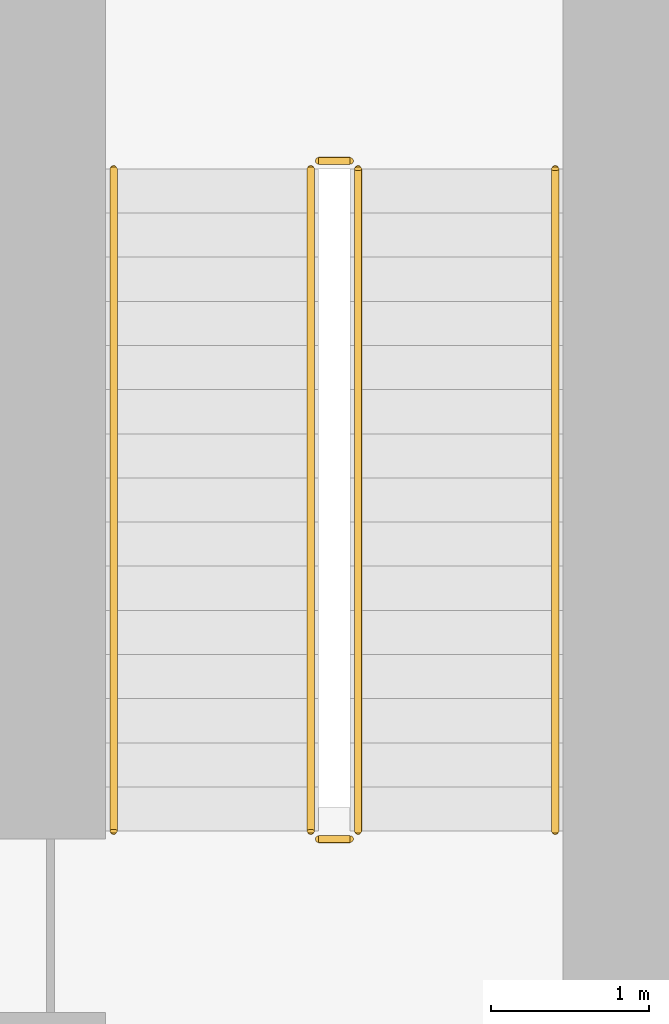
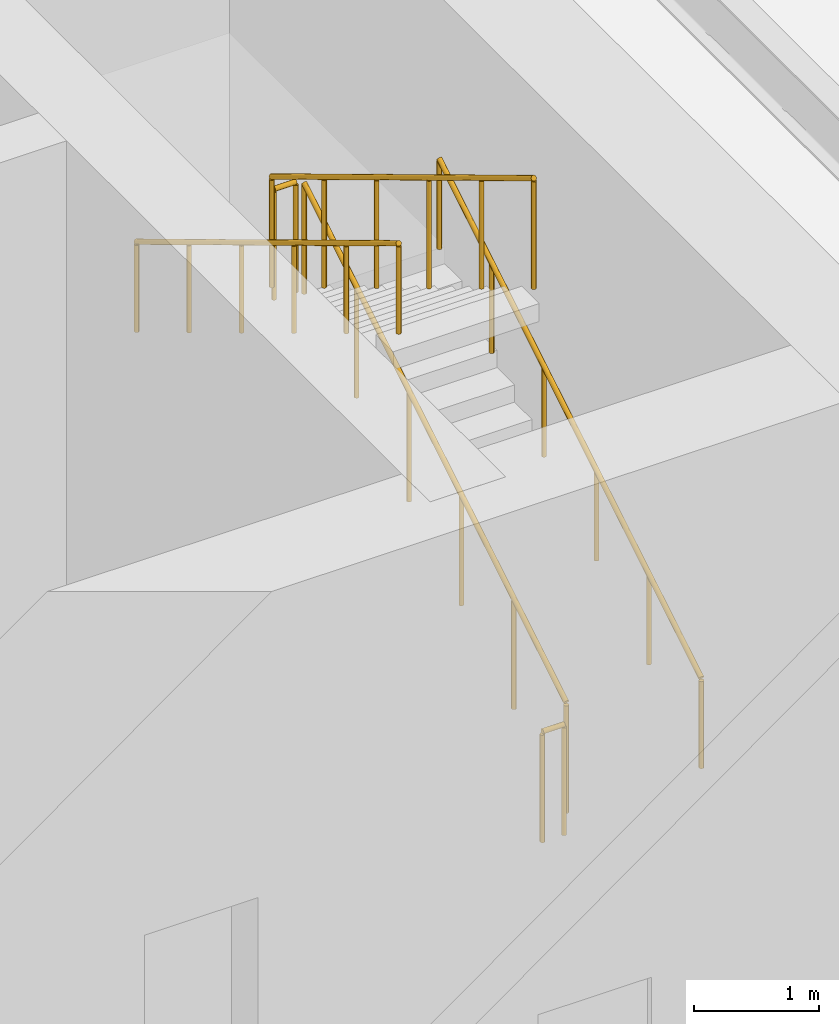
# One storey, part 10 of 11: 6 railings.
"""IFC4 building model written with IfcOpenShell, lengths in metres."""

import ifcopenshell
import ifcopenshell.guid

model = None  # the IFC model being written
_history = None  # IfcOwnerHistory: only IFC2X3 demands one
_inside = {}  # id of a spatial element -> (the spatial element, [elements in it])
_under = {}  # id of a project, library or spatial element -> (it, [spatial elements below it])
_declared = {}  # id of a project -> (the project, [libraries it declares])
_typed = {}  # id of a type object -> (the type object, [elements of that type])
_made_of = {}  # id of a material, layer set ... -> (it, [elements and type objects made of it])


def new_model(schema):
    """Start an empty IFC model of exactly this schema.

    Asked for "IFC4X3", IfcOpenShell would pick the latest addendum, in which some entities
    have other attributes; the version numbers below select the first issue.
    IFC2X3 requires an IfcOwnerHistory on every rooted entity: one is made here for all.
    """
    global model, _history
    if schema == "IFC4X3":
        model = ifcopenshell.file(schema_version=(4, 3, 0, 0))
    else:
        model = ifcopenshell.file(schema=schema)
    _inside.clear()
    _under.clear()
    _declared.clear()
    _typed.clear()
    _made_of.clear()
    _history = None
    if model.schema == "IFC2X3":
        org = make("IfcOrganization", Name="unknown")
        user = make(
            "IfcPersonAndOrganization",
            ThePerson=make("IfcPerson", FamilyName="unknown"),
            TheOrganization=org,
        )
        app = make(
            "IfcApplication",
            ApplicationDeveloper=org,
            Version="unknown",
            ApplicationFullName="unknown",
            ApplicationIdentifier="unknown",
        )
        _history = make(
            "IfcOwnerHistory",
            OwningUser=user,
            OwningApplication=app,
            ChangeAction="ADDED",
            CreationDate=0,
        )
    return model


def make(cls, **values):
    """One entity of the class cls with the attributes given. An attribute that is None is left unset."""
    return model.create_entity(
        cls, **{name: value for name, value in values.items() if value is not None}
    )


def rooted(cls, **values):
    """An entity with a GlobalId (a new one), such as an element, a storey or a relation."""
    return make(cls, GlobalId=ifcopenshell.guid.new(), OwnerHistory=_history, **values)


def si_unit(unit_type, name, prefix=None):
    """IfcSIUnit, for example si_unit("LENGTHUNIT", "METRE", prefix="MILLI")."""
    return make("IfcSIUnit", UnitType=unit_type, Prefix=prefix, Name=name)


def assignment(units):
    """IfcUnitAssignment: the units of a project."""
    return None if units is None else make("IfcUnitAssignment", Units=units)


def point(xyz):
    """IfcCartesianPoint."""
    return None if xyz is None else make("IfcCartesianPoint", Coordinates=xyz)


def direction(xyz):
    """IfcDirection."""
    return None if xyz is None else make("IfcDirection", DirectionRatios=xyz)


def frame(location, z_axis=None, x_axis=None):
    """IfcAxis2Placement3D, a coordinate frame: its origin and axes. An axis left out is left unset."""
    return make(
        "IfcAxis2Placement3D",
        Location=point(location),
        Axis=direction(z_axis),
        RefDirection=direction(x_axis),
    )


def frame_2d(location, x_axis=None):
    """IfcAxis2Placement2D, a coordinate frame in the plane: its origin and x axis."""
    return make(
        "IfcAxis2Placement2D", Location=point(location), RefDirection=direction(x_axis)
    )


def origin():
    """The frame at (0, 0, 0) with its axes left unset."""
    return frame((0.0, 0.0, 0.0))


def origin_2d():
    """The frame at (0, 0) in the plane with its x axis left unset."""
    return frame_2d((0.0, 0.0))


def place(relative_to, where):
    """IfcLocalPlacement: puts the frame where relative to a parent placement (None: the world)."""
    return make(
        "IfcLocalPlacement", PlacementRelTo=relative_to, RelativePlacement=where
    )


def context(
    kind, dimensions, precision=None, world=None, true_north=None, identifier=None
):
    """IfcGeometricRepresentationContext, for example the 3D "Model" context."""
    return make(
        "IfcGeometricRepresentationContext",
        ContextIdentifier=identifier,
        ContextType=kind,
        CoordinateSpaceDimension=dimensions,
        Precision=precision,
        WorldCoordinateSystem=world,
        TrueNorth=true_north,
    )


def subcontext(parent, identifier, kind, view, scale=None):
    """IfcGeometricRepresentationSubContext, for example "Body" below "Model"."""
    return make(
        "IfcGeometricRepresentationSubContext",
        ContextIdentifier=identifier,
        ContextType=kind,
        ParentContext=parent,
        TargetScale=scale,
        TargetView=view,
    )


def project(units=None, contexts=None):
    """IfcProject with its units and contexts."""
    return rooted(
        "IfcProject",
        Name="project",
        RepresentationContexts=contexts,
        UnitsInContext=assignment(units),
    )


def spatial(cls, under=None, at=None, **own):
    """A site, building, storey or space (cls), placed at a placement, below another one or the project."""
    s = rooted(cls, ObjectPlacement=at, **own)
    if under is not None:
        _under.setdefault(under.id(), (under, []))[1].append(s)
    return s


def profile(cls, at=None, kind="AREA", **sizes):
    """A parametric profile (cls). Its sizes go by their IFC names, for example OverallWidth=200.0."""
    return make(cls, ProfileType=kind, Position=at, **sizes)


def circle(**sizes):
    """IfcCircleProfileDef."""
    return profile("IfcCircleProfileDef", **sizes)


def extrude(swept, where, along, depth):
    """IfcExtrudedAreaSolid: the profile swept, set in the frame where, extruded along a direction by depth."""
    return make(
        "IfcExtrudedAreaSolid",
        SweptArea=swept,
        Position=where,
        ExtrudedDirection=direction(along),
        Depth=depth,
    )


def shape(context_of_items, identifier, shape_type, items):
    """IfcShapeRepresentation: the items that make up one representation, for example the "Body"."""
    return make(
        "IfcShapeRepresentation",
        ContextOfItems=context_of_items,
        RepresentationIdentifier=identifier,
        RepresentationType=shape_type,
        Items=items,
    )


def material(Name=None, Category=None):
    """IfcMaterial."""
    return make("IfcMaterial", Name=Name, Category=Category)


def made_of(thing, what):
    """Note that an element or type object is made of a material, layer set ...; save() writes the relation."""
    if what is not None:
        _made_of.setdefault(what.id(), (what, []))[1].append(thing)
    return thing


def type_object(cls, material=None, **own):
    """A type object (cls), such as IfcWallType, which elements share."""
    return made_of(rooted(cls, **own), material)


def element(
    cls,
    number,
    at=None,
    inside=None,
    cuts=None,
    type_object=None,
    material=None,
    context=None,
    identifier="Body",
    shape_type=None,
    held_by="IfcProductDefinitionShape",
    body=None,
    shapes=None,
    **own,
):
    """One element of the class cls, such as IfcWall. Its Tag is "e" and its number.

    at: its placement. inside: the storey or other place that contains it. cuts: it is an
    opening in that element (IfcRelVoidsElement). A single representation is given by context,
    identifier, shape_type and body (its items); several are given by shapes. held_by: the class
    of the entity that holds the representations. save() writes the other relations.
    """
    e = rooted(cls, Tag="e%d" % number, ObjectPlacement=at, **own)
    if body is not None:
        shapes = [shape(context, identifier, shape_type, body)]
    if shapes is not None:
        e.Representation = make(held_by, Representations=shapes)
    if inside is not None:
        _inside.setdefault(inside.id(), (inside, []))[1].append(e)
    if cuts is not None:
        rooted(
            "IfcRelVoidsElement", RelatingBuildingElement=cuts, RelatedOpeningElement=e
        )
    if type_object is not None:
        _typed.setdefault(type_object.id(), (type_object, []))[1].append(e)
    return made_of(e, material)


def aggregate(whole, parts):
    """IfcRelAggregates: a whole, such as a stair, and the parts it consists of."""
    return rooted("IfcRelAggregates", RelatingObject=whole, RelatedObjects=parts)


def save(model, path):
    """Write the relations noted so far, then the file.

    IfcRelAggregates (storeys below a building ...), IfcRelContainedInSpatialStructure (elements
    in a storey), IfcRelDefinesByType, IfcRelAssociatesMaterial and IfcRelDeclares: one each for
    every whole, place, type object, material and project.
    """
    for whole, parts in _under.values():
        aggregate(whole, parts)
    for where, things in _inside.values():
        rooted(
            "IfcRelContainedInSpatialStructure",
            RelatedElements=things,
            RelatingStructure=where,
        )
    for kind, things in _typed.values():
        rooted("IfcRelDefinesByType", RelatedObjects=things, RelatingType=kind)
    for what, things in _made_of.values():
        rooted("IfcRelAssociatesMaterial", RelatedObjects=things, RelatingMaterial=what)
    for by, libraries in _declared.values():
        rooted("IfcRelDeclares", RelatingContext=by, RelatedDefinitions=libraries)
    model.write(path)


model = new_model("IFC4")

# Units and contexts
model_context = context("Model", 3, precision=1e-05, world=origin(), true_north=direction((0.0, 1.0)))
body_context = subcontext(model_context, "Body", "Model", "MODEL_VIEW")
ifc_project = project(units=[si_unit("LENGTHUNIT", "METRE"), si_unit("AREAUNIT", "SQUARE_METRE"), si_unit("VOLUMEUNIT", "CUBIC_METRE"), si_unit("PLANEANGLEUNIT", "RADIAN"), si_unit("MASSUNIT", "GRAM", prefix="KILO")], contexts=[model_context])

# Site, building, storey
site_placement = place(None, origin())
site = spatial("IfcSite", under=ifc_project, at=site_placement, CompositionType="ELEMENT")
building_placement = place(site_placement, origin())
building = spatial("IfcBuilding", under=site, at=building_placement, Name="Caelmar Bay Residences", CompositionType="ELEMENT")
storey_placement = place(building_placement, origin())
storey = spatial("IfcBuildingStorey", under=building, at=storey_placement, Name="L00", CompositionType="ELEMENT", Elevation=0.0)

# Railings
ifc_material_1 = material(Name="Painted galvanized steel stair guard 1100 mm", Category="steel")
railing_type_1 = type_object("IfcRailingType", Name="RL-GRD-1100", PredefinedType="GUARDRAIL", material=ifc_material_1)
railing_1_placement = place(storey_placement, frame((57.85009765625, 38.699951171875, 0.168701171875)))
element("IfcRailing", 1, at=railing_1_placement, inside=storey, type_object=railing_type_1, Name="L00 ST2 stair guard 1", PredefinedType="GUARDRAIL", context=body_context, shape_type="SweptSolid", body=[
    extrude(circle(Radius=0.02392578125, at=origin_2d()), frame((0.0, 0.0, 1.076171875), z_axis=(0.0, 0.856476492594, 0.516186030065), x_axis=(-1.0, 0.0, 0.0)), (0.0, 0.0, 1.0), 4.90380859375),
    extrude(circle(Radius=0.02099609375, at=origin_2d()), origin(), (0.0, 0.0, 1.0), 1.052001953125),
    extrude(circle(Radius=0.02099609375, at=origin_2d()), frame((0.0, 0.840087890625, 0.50634765625)), (0.0, 0.0, 1.0), 1.052001953125),
    extrude(circle(Radius=0.02099609375, at=origin_2d()), frame((0.0, 1.679931640625, 1.012451171875)), (0.0, 0.0, 1.0), 1.052001953125),
    extrude(circle(Radius=0.02099609375, at=origin_2d()), frame((0.0, 2.52001953125, 1.518798828125)), (0.0, 0.0, 1.0), 1.052001953125),
    extrude(circle(Radius=0.02099609375, at=origin_2d()), frame((0.0, 3.35986328125, 2.02490234375)), (0.0, 0.0, 1.0), 1.052001953125),
    extrude(circle(Radius=0.02099609375, at=origin_2d()), frame((0.0, 4.199951171875, 2.53125)), (0.0, 0.0, 1.0), 1.052001953125),
])
railing_2_placement = place(storey_placement, frame((57.800048828125, 42.949951171875, 2.699951171875)))
element("IfcRailing", 2, at=railing_2_placement, inside=storey, type_object=railing_type_1, Name="L00 ST2 stair guard 2", PredefinedType="GUARDRAIL", context=body_context, shape_type="SweptSolid", body=[
    extrude(circle(Radius=0.02392578125, at=origin_2d()), frame((0.0, 0.0, 1.076171875), z_axis=(-1.0, 0.0, 0.0), x_axis=(0.0, -1.0, 0.0)), (0.0, 0.0, 1.0), 0.199951171875),
    extrude(circle(Radius=0.02099609375, at=origin_2d()), origin(), (0.0, 0.0, 1.0), 1.052001953125),
    extrude(circle(Radius=0.02099609375, at=origin_2d()), frame((-0.199951171875, 0.0, 0.0)), (0.0, 0.0, 1.0), 1.052001953125),
])
railing_3_placement = place(storey_placement, frame((57.550048828125, 42.89990234375, 2.86865234375)))
element("IfcRailing", 3, at=railing_3_placement, inside=storey, type_object=railing_type_1, Name="L00 ST2 stair guard 3", PredefinedType="GUARDRAIL", context=body_context, shape_type="SweptSolid", body=[
    extrude(circle(Radius=0.02392578125, at=origin_2d()), frame((0.0, 0.0, 1.076171875), z_axis=(0.0, -0.856476492594, 0.516186030065), x_axis=(1.0, 0.0, 0.0)), (0.0, 0.0, 1.0), 4.90380859375),
    extrude(circle(Radius=0.02099609375, at=origin_2d()), origin(), (0.0, 0.0, 1.0), 1.052001953125),
    extrude(circle(Radius=0.02099609375, at=origin_2d()), frame((0.0, -0.840087890625, 0.50634765625)), (0.0, 0.0, 1.0), 1.052001953125),
    extrude(circle(Radius=0.02099609375, at=origin_2d()), frame((0.0, -1.679931640625, 1.012451171875)), (0.0, 0.0, 1.0), 1.052001953125),
    extrude(circle(Radius=0.02099609375, at=origin_2d()), frame((0.0, -2.52001953125, 1.518798828125)), (0.0, 0.0, 1.0), 1.052001953125),
    extrude(circle(Radius=0.02099609375, at=origin_2d()), frame((0.0, -3.35986328125, 2.02490234375)), (0.0, 0.0, 1.0), 1.052001953125),
    extrude(circle(Radius=0.02099609375, at=origin_2d()), frame((0.0, -4.199951171875, 2.53125)), (0.0, 0.0, 1.0), 1.052001953125),
])
railing_4_placement = place(storey_placement, frame((57.800048828125, 38.64990234375, 0.0)))
element("IfcRailing", 4, at=railing_4_placement, inside=storey, type_object=railing_type_1, Name="L00 ST2 stair guard 4", PredefinedType="GUARDRAIL", context=body_context, shape_type="SweptSolid", body=[
    extrude(circle(Radius=0.02392578125, at=origin_2d()), frame((0.0, 0.0, 1.076171875), z_axis=(-1.0, 0.0, 0.0), x_axis=(0.0, -1.0, 0.0)), (0.0, 0.0, 1.0), 0.199951171875),
    extrude(circle(Radius=0.02099609375, at=origin_2d()), origin(), (0.0, 0.0, 1.0), 1.052001953125),
    extrude(circle(Radius=0.02099609375, at=origin_2d()), frame((-0.199951171875, 0.0, 0.0)), (0.0, 0.0, 1.0), 1.052001953125),
])
ifc_material_2 = material(Name="Brushed bronze stainless-steel tubular handrail 900 mm", Category="steel")
railing_type_2 = type_object("IfcRailingType", Name="RL-HND-900", PredefinedType="HANDRAIL", material=ifc_material_2)
railing_5_placement = place(storey_placement, frame((59.10009765625, 38.699951171875, 0.168701171875)))
element("IfcRailing", 5, at=railing_5_placement, inside=storey, type_object=railing_type_2, Name="L00 ST2 stair handrail 1", PredefinedType="HANDRAIL", context=body_context, shape_type="SweptSolid", body=[
    extrude(circle(Radius=0.02392578125, at=origin_2d()), frame((0.0, 0.0, 0.8759765625), z_axis=(0.0, 0.856476492594, 0.516186030065), x_axis=(-1.0, 0.0, 0.0)), (0.0, 0.0, 1.0), 4.90380859375),
    extrude(circle(Radius=0.02099609375, at=origin_2d()), origin(), (0.0, 0.0, 1.0), 0.851806640625),
    extrude(circle(Radius=0.02099609375, at=origin_2d()), frame((0.0, 0.840087890625, 0.50634765625)), (0.0, 0.0, 1.0), 0.851806640625),
    extrude(circle(Radius=0.02099609375, at=origin_2d()), frame((0.0, 1.679931640625, 1.012451171875)), (0.0, 0.0, 1.0), 0.851806640625),
    extrude(circle(Radius=0.02099609375, at=origin_2d()), frame((0.0, 2.52001953125, 1.518798828125)), (0.0, 0.0, 1.0), 0.851806640625),
    extrude(circle(Radius=0.02099609375, at=origin_2d()), frame((0.0, 3.35986328125, 2.02490234375)), (0.0, 0.0, 1.0), 0.851806640625),
    extrude(circle(Radius=0.02099609375, at=origin_2d()), frame((0.0, 4.199951171875, 2.53125)), (0.0, 0.0, 1.0), 0.851806640625),
])
railing_6_placement = place(storey_placement, frame((56.300048828125, 42.89990234375, 2.86865234375)))
element("IfcRailing", 6, at=railing_6_placement, inside=storey, type_object=railing_type_2, Name="L00 ST2 stair handrail 2", PredefinedType="HANDRAIL", context=body_context, shape_type="SweptSolid", body=[
    extrude(circle(Radius=0.02392578125, at=origin_2d()), frame((0.0, 0.0, 0.8759765625), z_axis=(0.0, -0.856476492594, 0.516186030065), x_axis=(1.0, 0.0, 0.0)), (0.0, 0.0, 1.0), 4.90380859375),
    extrude(circle(Radius=0.02099609375, at=origin_2d()), origin(), (0.0, 0.0, 1.0), 0.851806640625),
    extrude(circle(Radius=0.02099609375, at=origin_2d()), frame((0.0, -0.840087890625, 0.50634765625)), (0.0, 0.0, 1.0), 0.851806640625),
    extrude(circle(Radius=0.02099609375, at=origin_2d()), frame((0.0, -1.679931640625, 1.012451171875)), (0.0, 0.0, 1.0), 0.851806640625),
    extrude(circle(Radius=0.02099609375, at=origin_2d()), frame((0.0, -2.52001953125, 1.518798828125)), (0.0, 0.0, 1.0), 0.851806640625),
    extrude(circle(Radius=0.02099609375, at=origin_2d()), frame((0.0, -3.35986328125, 2.02490234375)), (0.0, 0.0, 1.0), 0.851806640625),
    extrude(circle(Radius=0.02099609375, at=origin_2d()), frame((0.0, -4.199951171875, 2.53125)), (0.0, 0.0, 1.0), 0.851806640625),
])

save(model, "model.ifc")
